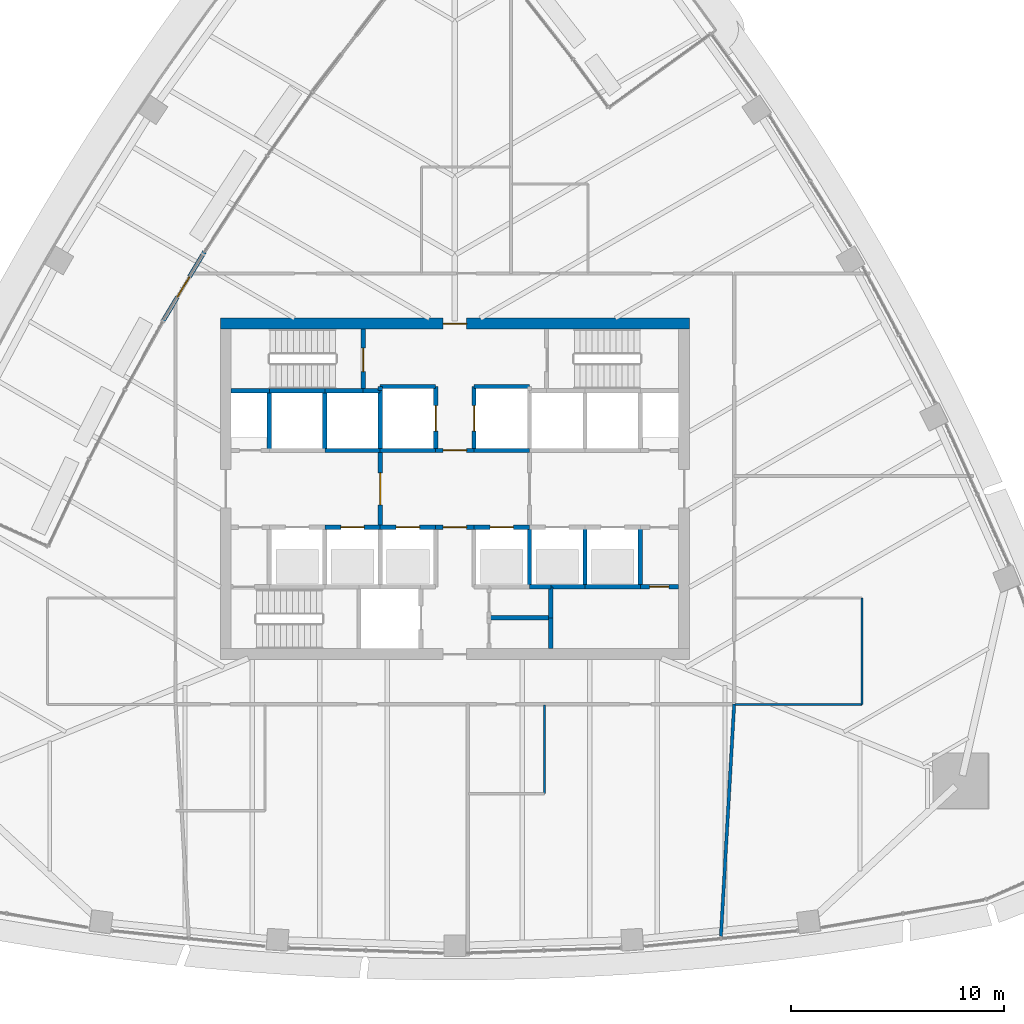
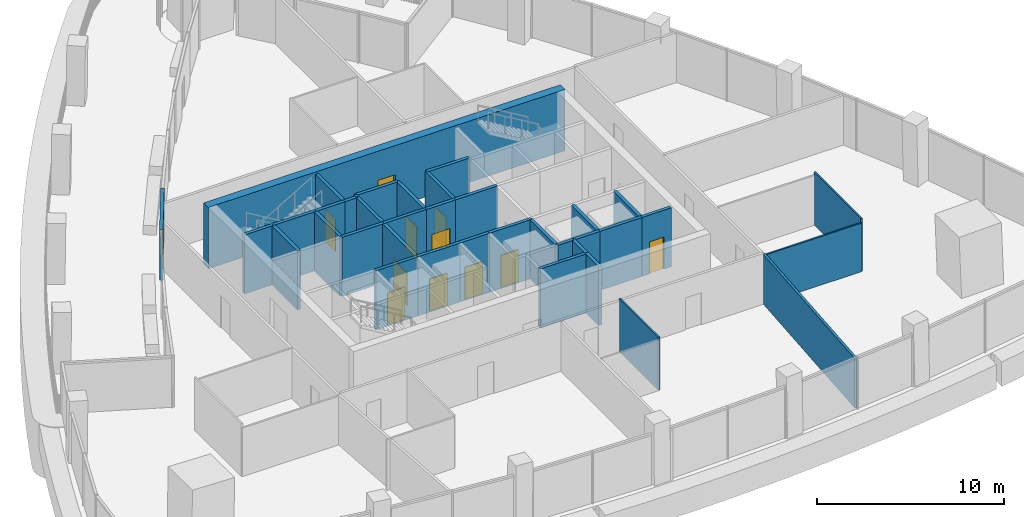
# One storey, part 12 of 19: 38 walls, 12 doors, 12 openings.
"""IFC4 building model written with IfcOpenShell, lengths in metres."""

from ifc_helpers import new_model, si_unit, direction, frame, frame_2d, origin, place, context, subcontext, project, spatial, rectangle, extrude, material, layer, layer_set, type_object, element, fill, save


model = new_model("IFC4")

# Units and contexts
model_context = context("Model", 3, precision=1e-05, world=origin(), true_north=direction((0.0, 1.0)))
body_context = subcontext(model_context, "Body", "Model", "MODEL_VIEW")
ifc_project = project(units=[si_unit("LENGTHUNIT", "METRE"), si_unit("AREAUNIT", "SQUARE_METRE"), si_unit("VOLUMEUNIT", "CUBIC_METRE"), si_unit("PLANEANGLEUNIT", "RADIAN"), si_unit("MASSUNIT", "GRAM", prefix="KILO")], contexts=[model_context])

# Site, building, storey
site_placement = place(None, origin())
site = spatial("IfcSite", under=ifc_project, at=site_placement, CompositionType="ELEMENT")
building_placement = place(site_placement, origin())
building = spatial("IfcBuilding", under=site, at=building_placement, Name="Sierra Prisma Convention Tower", CompositionType="ELEMENT")
storey_placement = place(building_placement, frame((0.0, 0.0, 173.800048828125)))
storey = spatial("IfcBuildingStorey", under=building, at=storey_placement, Name="L38", CompositionType="ELEMENT", Elevation=173.800048828125)

# Walls
ifc_material_1 = material(Name="Gypsum board partition", Category="gypsum")
ifc_layer_1 = layer(ifc_material_1, 0.10009765625)
ifc_layer_set_1 = layer_set([ifc_layer_1], Name="Bathroom partition 100")
wall_type_1 = type_object("IfcWallType", Name="Bathroom partition 100", PredefinedType="PARTITIONING", material=ifc_layer_set_1)
wall_1_placement = place(storey_placement, frame((4.199951171875, -10.1298828125, 0.0), z_axis=(0.0, 0.0, 1.0), x_axis=(0.0, -1.0, 0.0)))
element("IfcWall", 1, at=wall_1_placement, inside=storey, type_object=wall_type_1, Name="Partition L38 bath 8", PredefinedType="PARTITIONING", context=body_context, shape_type="SweptSolid", body=[
    extrude(rectangle(XDim=4.170166015625, YDim=0.10009765625, at=frame_2d((2.0849609375, 0.0))), origin(), (0.0, 0.0, 1.0), 3.449951171875),
])
wall_2_placement = place(storey_placement, frame((19.10009765625, -5.1201171875, 0.0), z_axis=(0.0, 0.0, 1.0), x_axis=(0.0, -1.0, 0.0)))
element("IfcWall", 2, at=wall_2_placement, inside=storey, type_object=wall_type_1, Name="Partition L38 bath 13", PredefinedType="PARTITIONING", context=body_context, shape_type="SweptSolid", body=[
    extrude(rectangle(XDim=5.0, YDim=0.10009765625, at=frame_2d((2.5, 0.0))), origin(), (0.0, 0.0, 1.0), 3.449951171875),
])
wall_3_placement = place(storey_placement, frame((19.10009765625, -10.1201171875, 0.0), z_axis=(0.0, 0.0, 1.0), x_axis=(-1.0, 0.0, 0.0)))
element("IfcWall", 3, at=wall_3_placement, inside=storey, type_object=wall_type_1, Name="Partition L38 bath 14", PredefinedType="PARTITIONING", context=body_context, shape_type="SweptSolid", body=[
    extrude(rectangle(XDim=5.97021484375, YDim=0.10009765625, at=frame_2d((2.985107421875, 0.0))), origin(), (0.0, 0.0, 1.0), 3.166015625),
])
ifc_material_2 = material(Name="Concrete C30/37", Category="concrete")
ifc_layer_2 = layer(ifc_material_2, 0.199951171875)
ifc_layer_set_2 = layer_set([ifc_layer_2], Name="Core wall RC 200 C30/37")
wall_type_2 = type_object("IfcWallType", Name="Core wall RC 200 C30/37", PredefinedType="SOLIDWALL", material=ifc_layer_set_2)
wall_4_placement = place(storey_placement, frame((-8.699951171875, 4.60009765625, 0.0), z_axis=(0.0, 0.0, 1.0), x_axis=(-1.0, 0.0, 0.0)))
element("IfcWall", 4, at=wall_4_placement, inside=storey, type_object=wall_type_2, Name="Core wall L38 4", PredefinedType="SOLIDWALL", context=body_context, shape_type="SweptSolid", body=[
    extrude(rectangle(XDim=1.800048828125, YDim=0.199951171875, at=frame_2d((0.89990234375, 0.0))), origin(), (0.0, 0.0, 1.0), 3.849853515625),
])
wall_5_placement = place(storey_placement, frame((-8.699951171875, 1.800048828125, 0.0), z_axis=(0.0, 0.0, 1.0), x_axis=(0.0, 1.0, 0.0)))
element("IfcWall", 5, at=wall_5_placement, inside=storey, type_object=wall_type_2, Name="Core wall L38 9", PredefinedType="SOLIDWALL", context=body_context, shape_type="SweptSolid", body=[
    extrude(rectangle(XDim=2.800048828125, YDim=0.199951171875, at=frame_2d((1.39990234375, 0.0))), origin(), (0.0, 0.0, 1.0), 3.849853515625),
])
wall_6_placement = place(storey_placement, frame((-6.10009765625, 4.60009765625, 0.0), z_axis=(0.0, 0.0, 1.0), x_axis=(-1.0, 0.0, 0.0)))
element("IfcWall", 6, at=wall_6_placement, inside=storey, type_object=wall_type_2, Name="Core wall L38 10", PredefinedType="SOLIDWALL", context=body_context, shape_type="SweptSolid", body=[
    extrude(rectangle(XDim=2.599853515625, YDim=0.199951171875, at=frame_2d((1.2998046875, 0.0))), origin(), (0.0, 0.0, 1.0), 3.849853515625),
])

# Wall, opening, door
wall_7_placement = place(storey_placement, frame((-6.10009765625, -1.800048828125, 0.0), z_axis=(0.0, 0.0, 1.0), x_axis=(1.0, 0.0, 0.0)))
wall_7 = element("IfcWall", 7, at=wall_7_placement, inside=storey, type_object=wall_type_2, Name="Core wall L38 13", PredefinedType="SOLIDWALL", context=body_context, shape_type="SweptSolid", body=[
    extrude(rectangle(XDim=2.60009765625, YDim=0.199951171875, at=frame_2d((1.300048828125, 0.0))), origin(), (0.0, 0.0, 1.0), 3.849853515625),
])
opening_1_placement = place(wall_7_placement, frame((0.75, 0.0, 0.0)))
opening_1 = element("IfcOpeningElement", 8, at=opening_1_placement, cuts=wall_7, Name="Opening L38-D004", PredefinedType="OPENING", context=body_context, shape_type="SweptSolid", body=[
    extrude(rectangle(XDim=1.10009765625, YDim=2.10009765625, at=frame_2d((0.550048828125, 1.050048828125))), frame((0.0, 0.10009765625, 0.0), z_axis=(0.0, -1.0, 0.0), x_axis=(1.0, 0.0, 0.0)), (0.0, 0.0, 1.0), 0.199951171875),
])
ifc_material_3 = material(Name="Steel fire door leaf", Category="steel")
door_type_1 = type_object("IfcDoorType", Name="Door 1100x2100 EI 90 sliding lift landing", OperationType="SLIDING_TO_LEFT", PredefinedType="DOOR", material=ifc_material_3)
door_1_placement = place(opening_1_placement, origin())
door_1 = element("IfcDoor", 9, at=door_1_placement, inside=storey, type_object=door_type_1, Name="Door L38 15", OperationType="SLIDING_TO_RIGHT", OverallHeight=2.10009765625, OverallWidth=1.10009765625, PredefinedType="DOOR", context=body_context, shape_type="SweptSolid", body=[
    extrude(rectangle(XDim=1.10009765625, YDim=2.10009765625, at=frame_2d((0.550048828125, 1.050048828125))), frame((0.0, 0.02490234375, 0.0), z_axis=(0.0, -1.0, 0.0), x_axis=(1.0, 0.0, 0.0)), (0.0, 0.0, 1.0), 0.050048828125),
])
fill(opening_1, door_1)

# Walls
wall_8_placement = place(storey_placement, frame((-3.5, 1.800048828125, 0.0), z_axis=(0.0, 0.0, 1.0), x_axis=(-1.0, 0.0, 0.0)))
element("IfcWall", 10, at=wall_8_placement, inside=storey, type_object=wall_type_2, Name="Core wall L38 14", PredefinedType="SOLIDWALL", context=body_context, shape_type="SweptSolid", body=[
    extrude(rectangle(XDim=2.60009765625, YDim=0.199951171875, at=frame_2d((1.300048828125, 0.0))), origin(), (0.0, 0.0, 1.0), 3.849853515625),
])
wall_9_placement = place(storey_placement, frame((-6.10009765625, 1.800048828125, 0.0), z_axis=(0.0, 0.0, 1.0), x_axis=(0.0, 1.0, 0.0)))
element("IfcWall", 11, at=wall_9_placement, inside=storey, type_object=wall_type_2, Name="Core wall L38 15", PredefinedType="SOLIDWALL", context=body_context, shape_type="SweptSolid", body=[
    extrude(rectangle(XDim=2.800048828125, YDim=0.199951171875, at=frame_2d((1.39990234375, 0.0))), origin(), (0.0, 0.0, 1.0), 3.849853515625),
])
wall_10_placement = place(storey_placement, frame((-4.300048828125, 4.60009765625, 0.0), z_axis=(0.0, 0.0, 1.0), x_axis=(-1.0, 0.0, 0.0)))
element("IfcWall", 12, at=wall_10_placement, inside=storey, type_object=wall_type_2, Name="Core wall L38 16", PredefinedType="SOLIDWALL", context=body_context, shape_type="SweptSolid", body=[
    extrude(rectangle(XDim=1.800048828125, YDim=0.199951171875, at=frame_2d((0.89990234375, 0.0))), origin(), (0.0, 0.0, 1.0), 3.849853515625),
])
wall_11_placement = place(storey_placement, frame((-3.5, 4.60009765625, 0.0), z_axis=(0.0, 0.0, 1.0), x_axis=(-1.0, 0.0, 0.0)))
element("IfcWall", 13, at=wall_11_placement, inside=storey, type_object=wall_type_2, Name="Core wall L38 19", PredefinedType="SOLIDWALL", context=body_context, shape_type="SweptSolid", body=[
    extrude(rectangle(XDim=0.800048828125, YDim=0.199951171875, at=frame_2d((0.39990234375, 0.0))), origin(), (0.0, 0.0, 1.0), 3.849853515625),
])

# Wall, opening, door
wall_12_placement = place(storey_placement, frame((-4.300048828125, 4.60009765625, 0.0), z_axis=(0.0, 0.0, 1.0), x_axis=(0.0, 1.0, 0.0)))
wall_12 = element("IfcWall", 14, at=wall_12_placement, inside=storey, type_object=wall_type_2, Name="Core wall L38 20", PredefinedType="SOLIDWALL", context=body_context, shape_type="SweptSolid", body=[
    extrude(rectangle(XDim=2.89990234375, YDim=0.199951171875, at=frame_2d((1.449951171875, 0.0))), origin(), (0.0, 0.0, 1.0), 3.849853515625),
])
opening_2_placement = place(wall_12_placement, frame((0.89990234375, 0.0, 0.0)))
opening_2 = element("IfcOpeningElement", 15, at=opening_2_placement, cuts=wall_12, Name="Opening L38-D020", PredefinedType="OPENING", context=body_context, shape_type="SweptSolid", body=[
    extrude(rectangle(XDim=1.10009765625, YDim=2.10009765625, at=frame_2d((0.550048828125, 1.050048828125))), frame((0.0, 0.10009765625, 0.0), z_axis=(0.0, -1.0, 0.0), x_axis=(1.0, 0.0, 0.0)), (0.0, 0.0, 1.0), 0.199951171875),
])
ifc_material_4 = material(Name="Steel fire door leaf", Category="steel")
door_type_2 = type_object("IfcDoorType", Name="Door 1100x2100 FD90S", OperationType="SINGLE_SWING_LEFT", PredefinedType="DOOR", material=ifc_material_4)
door_2_placement = place(opening_2_placement, origin())
door_2 = element("IfcDoor", 16, at=door_2_placement, inside=storey, type_object=door_type_2, Name="Door L38 31", OperationType="SINGLE_SWING_LEFT", OverallHeight=2.10009765625, OverallWidth=1.10009765625, PredefinedType="DOOR", context=body_context, shape_type="SweptSolid", body=[
    extrude(rectangle(XDim=1.10009765625, YDim=2.10009765625, at=frame_2d((0.550048828125, 1.050048828125))), frame((0.0, 0.02490234375, 0.0), z_axis=(0.0, -1.0, 0.0), x_axis=(1.0, 0.0, 0.0)), (0.0, 0.0, 1.0), 0.050048828125),
])
fill(opening_2, door_2)

wall_13_placement = place(storey_placement, frame((-3.5, -1.800048828125, 0.0), z_axis=(0.0, 0.0, 1.0), x_axis=(1.0, 0.0, 0.0)))
wall_13 = element("IfcWall", 17, at=wall_13_placement, inside=storey, type_object=wall_type_2, Name="Core wall L38 23", PredefinedType="SOLIDWALL", context=body_context, shape_type="SweptSolid", body=[
    extrude(rectangle(XDim=2.60009765625, YDim=0.199951171875, at=frame_2d((1.300048828125, 0.0))), origin(), (0.0, 0.0, 1.0), 3.849853515625),
])
opening_3_placement = place(wall_13_placement, frame((0.75, 0.0, 0.0)))
opening_3 = element("IfcOpeningElement", 18, at=opening_3_placement, cuts=wall_13, Name="Opening L38-D005", PredefinedType="OPENING", context=body_context, shape_type="SweptSolid", body=[
    extrude(rectangle(XDim=1.10009765625, YDim=2.10009765625, at=frame_2d((0.550048828125, 1.050048828125))), frame((0.0, 0.10009765625, 0.0), z_axis=(0.0, -1.0, 0.0), x_axis=(1.0, 0.0, 0.0)), (0.0, 0.0, 1.0), 0.199951171875),
])
door_3_placement = place(opening_3_placement, origin())
door_3 = element("IfcDoor", 19, at=door_3_placement, inside=storey, type_object=door_type_1, Name="Door L38 16", OperationType="SLIDING_TO_LEFT", OverallHeight=2.10009765625, OverallWidth=1.10009765625, PredefinedType="DOOR", context=body_context, shape_type="SweptSolid", body=[
    extrude(rectangle(XDim=1.10009765625, YDim=2.10009765625, at=frame_2d((0.550048828125, 1.050048828125))), frame((0.0, 0.02490234375, 0.0), z_axis=(0.0, -1.0, 0.0), x_axis=(1.0, 0.0, 0.0)), (0.0, 0.0, 1.0), 0.050048828125),
])
fill(opening_3, door_3)

wall_14_placement = place(storey_placement, frame((-3.5, 1.800048828125, 0.0), z_axis=(0.0, 0.0, 1.0), x_axis=(0.0, -1.0, 0.0)))
wall_14 = element("IfcWall", 20, at=wall_14_placement, inside=storey, type_object=wall_type_2, Name="Core wall L38 24", PredefinedType="SOLIDWALL", context=body_context, shape_type="SweptSolid", body=[
    extrude(rectangle(XDim=3.60009765625, YDim=0.199951171875, at=frame_2d((1.800048828125, 0.0))), origin(), (0.0, 0.0, 1.0), 3.849853515625),
])
opening_4_placement = place(wall_14_placement, frame((1.050048828125, 0.0, 0.0)))
opening_4 = element("IfcOpeningElement", 21, at=opening_4_placement, cuts=wall_14, Name="Opening L38-D012", PredefinedType="OPENING", context=body_context, shape_type="SweptSolid", body=[
    extrude(rectangle(XDim=1.5, YDim=2.10009765625, at=frame_2d((0.75, 1.050048828125))), frame((0.0, 0.10009765625, 0.0), z_axis=(0.0, -1.0, 0.0), x_axis=(1.0, 0.0, 0.0)), (0.0, 0.0, 1.0), 0.199951171875),
])
ifc_material_5 = material(Name="Steel fire door leaf", Category="steel")
door_type_3 = type_object("IfcDoorType", Name="Door 1500x2100 FD30S", OperationType="DOUBLE_DOOR_SINGLE_SWING", PredefinedType="DOOR", material=ifc_material_5)
door_4_placement = place(opening_4_placement, origin())
door_4 = element("IfcDoor", 22, at=door_4_placement, inside=storey, type_object=door_type_3, Name="Door L38 23", OperationType="DOUBLE_DOOR_SINGLE_SWING", OverallHeight=2.10009765625, OverallWidth=1.5, PredefinedType="DOOR", context=body_context, shape_type="SweptSolid", body=[
    extrude(rectangle(XDim=1.5, YDim=2.10009765625, at=frame_2d((0.75, 1.050048828125))), frame((0.0, 0.02490234375, 0.0), z_axis=(0.0, -1.0, 0.0), x_axis=(1.0, 0.0, 0.0)), (0.0, 0.0, 1.0), 0.050048828125),
])
fill(opening_4, door_4)

# Walls
wall_15_placement = place(storey_placement, frame((-0.89990234375, 1.800048828125, 0.0), z_axis=(0.0, 0.0, 1.0), x_axis=(-1.0, 0.0, 0.0)))
element("IfcWall", 23, at=wall_15_placement, inside=storey, type_object=wall_type_2, Name="Core wall L38 25", PredefinedType="SOLIDWALL", context=body_context, shape_type="SweptSolid", body=[
    extrude(rectangle(XDim=2.60009765625, YDim=0.199951171875, at=frame_2d((1.300048828125, 0.0))), origin(), (0.0, 0.0, 1.0), 3.849853515625),
])
wall_16_placement = place(storey_placement, frame((-3.5, 4.60009765625, 0.0), z_axis=(0.0, 0.0, 1.0), x_axis=(0.0, -1.0, 0.0)))
element("IfcWall", 24, at=wall_16_placement, inside=storey, type_object=wall_type_2, Name="Core wall L38 26", PredefinedType="SOLIDWALL", context=body_context, shape_type="SweptSolid", body=[
    extrude(rectangle(XDim=2.800048828125, YDim=0.199951171875, at=frame_2d((1.39990234375, 0.0))), origin(), (0.0, 0.0, 1.0), 3.849853515625),
])

# Wall, opening, door
wall_17_placement = place(storey_placement, frame((-0.89990234375, 1.800048828125, 0.0), z_axis=(0.0, 0.0, 1.0), x_axis=(0.0, 1.0, 0.0)))
wall_17 = element("IfcWall", 25, at=wall_17_placement, inside=storey, type_object=wall_type_2, Name="Core wall L38 27", PredefinedType="SOLIDWALL", context=body_context, shape_type="SweptSolid", body=[
    extrude(rectangle(XDim=3.0, YDim=0.199951171875, at=frame_2d((1.5, 0.0))), origin(), (0.0, 0.0, 1.0), 3.849853515625),
])
opening_5_placement = place(wall_17_placement, frame((0.89990234375, 0.0, 0.0)))
opening_5 = element("IfcOpeningElement", 26, at=opening_5_placement, cuts=wall_17, Name="Opening L38-D009", PredefinedType="OPENING", context=body_context, shape_type="SweptSolid", body=[
    extrude(rectangle(XDim=1.199951171875, YDim=2.10009765625, at=frame_2d((0.60009765625, 1.050048828125))), frame((0.0, 0.10009765625, 0.0), z_axis=(0.0, -1.0, 0.0), x_axis=(1.0, 0.0, 0.0)), (0.0, 0.0, 1.0), 0.199951171875),
])
ifc_material_6 = material(Name="Steel fire door leaf", Category="steel")
door_type_4 = type_object("IfcDoorType", Name="Door 1200x2100 EI 90 sliding lift landing", OperationType="SLIDING_TO_LEFT", PredefinedType="DOOR", material=ifc_material_6)
door_5_placement = place(opening_5_placement, origin())
door_5 = element("IfcDoor", 27, at=door_5_placement, inside=storey, type_object=door_type_4, Name="Door L38 20", OperationType="SLIDING_TO_LEFT", OverallHeight=2.10009765625, OverallWidth=1.199951171875, PredefinedType="DOOR", context=body_context, shape_type="SweptSolid", body=[
    extrude(rectangle(XDim=1.199951171875, YDim=2.10009765625, at=frame_2d((0.60009765625, 1.050048828125))), frame((0.0, 0.02490234375, 0.0), z_axis=(0.0, -1.0, 0.0), x_axis=(1.0, 0.0, 0.0)), (0.0, 0.0, 1.0), 0.050048828125),
])
fill(opening_5, door_5)

# Walls
wall_18_placement = place(storey_placement, frame((-0.89990234375, 4.800048828125, 0.0), z_axis=(0.0, 0.0, 1.0), x_axis=(-1.0, 0.0, 0.0)))
element("IfcWall", 28, at=wall_18_placement, inside=storey, type_object=wall_type_2, Name="Core wall L38 28", PredefinedType="SOLIDWALL", context=body_context, shape_type="SweptSolid", body=[
    extrude(rectangle(XDim=2.60009765625, YDim=0.199951171875, at=frame_2d((1.300048828125, 0.0))), origin(), (0.0, 0.0, 1.0), 3.849853515625),
])
wall_19_placement = place(storey_placement, frame((-3.5, 4.800048828125, 0.0), z_axis=(0.0, 0.0, 1.0), x_axis=(0.0, -1.0, 0.0)))
element("IfcWall", 29, at=wall_19_placement, inside=storey, type_object=wall_type_2, Name="Core wall L38 29", PredefinedType="SOLIDWALL", context=body_context, shape_type="SweptSolid", body=[
    extrude(rectangle(XDim=0.199951171875, YDim=0.199951171875, at=frame_2d((0.10009765625, 0.0))), origin(), (0.0, 0.0, 1.0), 3.849853515625),
])

# Wall, opening, door
wall_20_placement = place(storey_placement, frame((-0.89990234375, -1.800048828125, 0.0), z_axis=(0.0, 0.0, 1.0), x_axis=(1.0, 0.0, 0.0)))
wall_20 = element("IfcWall", 30, at=wall_20_placement, inside=storey, type_object=wall_type_2, Name="Core wall L38 33", PredefinedType="SOLIDWALL", context=body_context, shape_type="SweptSolid", body=[
    extrude(rectangle(XDim=1.7998046875, YDim=0.199951171875, at=frame_2d((0.89990234375, 0.0))), origin(), (0.0, 0.0, 1.0), 3.849853515625),
])
opening_6_placement = place(wall_20_placement, frame((0.35009765625, 0.0, 0.0)))
opening_6 = element("IfcOpeningElement", 31, at=opening_6_placement, cuts=wall_20, Name="Opening L38-D016", PredefinedType="OPENING", context=body_context, shape_type="SweptSolid", body=[
    extrude(rectangle(XDim=1.10009765625, YDim=2.10009765625, at=frame_2d((0.550048828125, 1.050048828125))), frame((0.0, 0.10009765625, 0.0), z_axis=(0.0, -1.0, 0.0), x_axis=(1.0, 0.0, 0.0)), (0.0, 0.0, 1.0), 0.199951171875),
])
ifc_material_7 = material(Name="Steel fire door leaf", Category="steel")
door_type_5 = type_object("IfcDoorType", Name="Door 1100x2100 FD30S", OperationType="SINGLE_SWING_LEFT", PredefinedType="DOOR", material=ifc_material_7)
door_6_placement = place(opening_6_placement, origin())
door_6 = element("IfcDoor", 32, at=door_6_placement, inside=storey, type_object=door_type_5, Name="Door L38 27", OperationType="SINGLE_SWING_RIGHT", OverallHeight=2.10009765625, OverallWidth=1.10009765625, PredefinedType="DOOR", context=body_context, shape_type="SweptSolid", body=[
    extrude(rectangle(XDim=1.10009765625, YDim=2.10009765625, at=frame_2d((0.550048828125, 1.050048828125))), frame((0.0, 0.02490234375, 0.0), z_axis=(0.0, -1.0, 0.0), x_axis=(1.0, 0.0, 0.0)), (0.0, 0.0, 1.0), 0.050048828125),
])
fill(opening_6, door_6)

wall_21_placement = place(storey_placement, frame((0.89990234375, 1.800048828125, 0.0), z_axis=(0.0, 0.0, 1.0), x_axis=(-1.0, 0.0, 0.0)))
wall_21 = element("IfcWall", 33, at=wall_21_placement, inside=storey, type_object=wall_type_2, Name="Core wall L38 34", PredefinedType="SOLIDWALL", context=body_context, shape_type="SweptSolid", body=[
    extrude(rectangle(XDim=1.7998046875, YDim=0.199951171875, at=frame_2d((0.89990234375, 0.0))), origin(), (0.0, 0.0, 1.0), 3.849853515625),
])
opening_7_placement = place(wall_21_placement, frame((0.35009765625, 0.0, 0.0)))
opening_7 = element("IfcOpeningElement", 34, at=opening_7_placement, cuts=wall_21, Name="Opening L38-D015", PredefinedType="OPENING", context=body_context, shape_type="SweptSolid", body=[
    extrude(rectangle(XDim=1.10009765625, YDim=2.10009765625, at=frame_2d((0.550048828125, 1.050048828125))), frame((0.0, 0.10009765625, 0.0), z_axis=(0.0, -1.0, 0.0), x_axis=(1.0, 0.0, 0.0)), (0.0, 0.0, 1.0), 0.199951171875),
])
ifc_material_8 = material(Name="Steel fire door leaf", Category="steel")
door_type_6 = type_object("IfcDoorType", Name="Door 1100x2100 FD60S", OperationType="SINGLE_SWING_LEFT", PredefinedType="DOOR", material=ifc_material_8)
door_7_placement = place(opening_7_placement, origin())
door_7 = element("IfcDoor", 35, at=door_7_placement, inside=storey, type_object=door_type_6, Name="Door L38 26", OperationType="SINGLE_SWING_RIGHT", OverallHeight=2.10009765625, OverallWidth=1.10009765625, PredefinedType="DOOR", context=body_context, shape_type="SweptSolid", body=[
    extrude(rectangle(XDim=1.10009765625, YDim=2.10009765625, at=frame_2d((0.550048828125, 1.050048828125))), frame((0.0, 0.02490234375, 0.0), z_axis=(0.0, -1.0, 0.0), x_axis=(1.0, 0.0, 0.0)), (0.0, 0.0, 1.0), 0.050048828125),
])
fill(opening_7, door_7)

wall_22_placement = place(storey_placement, frame((0.89990234375, -1.800048828125, 0.0), z_axis=(0.0, 0.0, 1.0), x_axis=(1.0, 0.0, 0.0)))
wall_22 = element("IfcWall", 36, at=wall_22_placement, inside=storey, type_object=wall_type_2, Name="Core wall L38 35", PredefinedType="SOLIDWALL", context=body_context, shape_type="SweptSolid", body=[
    extrude(rectangle(XDim=2.60009765625, YDim=0.199951171875, at=frame_2d((1.300048828125, 0.0))), origin(), (0.0, 0.0, 1.0), 3.849853515625),
])
opening_8_placement = place(wall_22_placement, frame((0.75, 0.0, 0.0)))
opening_8 = element("IfcOpeningElement", 37, at=opening_8_placement, cuts=wall_22, Name="Opening L38-D006", PredefinedType="OPENING", context=body_context, shape_type="SweptSolid", body=[
    extrude(rectangle(XDim=1.10009765625, YDim=2.10009765625, at=frame_2d((0.550048828125, 1.050048828125))), frame((0.0, 0.10009765625, 0.0), z_axis=(0.0, -1.0, 0.0), x_axis=(1.0, 0.0, 0.0)), (0.0, 0.0, 1.0), 0.199951171875),
])
door_8_placement = place(opening_8_placement, origin())
door_8 = element("IfcDoor", 38, at=door_8_placement, inside=storey, type_object=door_type_1, Name="Door L38 17", OperationType="SLIDING_TO_LEFT", OverallHeight=2.10009765625, OverallWidth=1.10009765625, PredefinedType="DOOR", context=body_context, shape_type="SweptSolid", body=[
    extrude(rectangle(XDim=1.10009765625, YDim=2.10009765625, at=frame_2d((0.550048828125, 1.050048828125))), frame((0.0, 0.02490234375, 0.0), z_axis=(0.0, -1.0, 0.0), x_axis=(1.0, 0.0, 0.0)), (0.0, 0.0, 1.0), 0.050048828125),
])
fill(opening_8, door_8)

# Walls
for number, where, z_axis, x_axis, name in (
    (39, (3.5, 1.800048828125, 0.0), (0.0, 0.0, 1.0), (-1.0, 0.0, 0.0), "Core wall L38 38"),
    (40, (3.5, 4.800048828125, 0.0), (0.0, 0.0, 1.0), (-1.0, 0.0, 0.0), "Core wall L38 40"),
):
    element("IfcWall", number, at=place(storey_placement, frame(where, z_axis=z_axis, x_axis=x_axis)), inside=storey, type_object=wall_type_2, Name=name, PredefinedType="SOLIDWALL", context=body_context, shape_type="SweptSolid", body=[
        extrude(rectangle(XDim=2.60009765625, YDim=0.199951171875, at=frame_2d((1.300048828125, 0.0))), origin(), (0.0, 0.0, 1.0), 3.849853515625),
    ])

# Wall, opening, door
wall_23_placement = place(storey_placement, frame((0.89990234375, 4.800048828125, 0.0), z_axis=(0.0, 0.0, 1.0), x_axis=(0.0, -1.0, 0.0)))
wall_23 = element("IfcWall", 41, at=wall_23_placement, inside=storey, type_object=wall_type_2, Name="Core wall L38 41", PredefinedType="SOLIDWALL", context=body_context, shape_type="SweptSolid", body=[
    extrude(rectangle(XDim=3.0, YDim=0.199951171875, at=frame_2d((1.5, 0.0))), origin(), (0.0, 0.0, 1.0), 3.849853515625),
])
opening_9_placement = place(wall_23_placement, frame((0.89990234375, 0.0, 0.0)))
opening_9 = element("IfcOpeningElement", 42, at=opening_9_placement, cuts=wall_23, Name="Opening L38-D010", PredefinedType="OPENING", context=body_context, shape_type="SweptSolid", body=[
    extrude(rectangle(XDim=1.199951171875, YDim=2.10009765625, at=frame_2d((0.60009765625, 1.050048828125))), frame((0.0, 0.10009765625, 0.0), z_axis=(0.0, -1.0, 0.0), x_axis=(1.0, 0.0, 0.0)), (0.0, 0.0, 1.0), 0.199951171875),
])
door_9_placement = place(opening_9_placement, origin())
door_9 = element("IfcDoor", 43, at=door_9_placement, inside=storey, type_object=door_type_4, Name="Door L38 21", OperationType="SLIDING_TO_LEFT", OverallHeight=2.10009765625, OverallWidth=1.199951171875, PredefinedType="DOOR", context=body_context, shape_type="SweptSolid", body=[
    extrude(rectangle(XDim=1.199951171875, YDim=2.10009765625, at=frame_2d((0.60009765625, 1.050048828125))), frame((0.0, 0.02490234375, 0.0), z_axis=(0.0, -1.0, 0.0), x_axis=(1.0, 0.0, 0.0)), (0.0, 0.0, 1.0), 0.050048828125),
])
fill(opening_9, door_9)

# Walls
wall_24_placement = place(storey_placement, frame((4.5, -6.050048828125, 0.0), z_axis=(0.0, 0.0, 1.0), x_axis=(-1.0, 0.0, 0.0)))
element("IfcWall", 44, at=wall_24_placement, inside=storey, type_object=wall_type_2, Name="Core wall L38 43", PredefinedType="SOLIDWALL", context=body_context, shape_type="SweptSolid", body=[
    extrude(rectangle(XDim=2.89990234375, YDim=0.199951171875, at=frame_2d((1.449951171875, 0.0))), origin(), (0.0, 0.0, 1.0), 3.849853515625),
])
wall_25_placement = place(storey_placement, frame((4.5, -4.60009765625, 0.0), z_axis=(0.0, 0.0, 1.0), x_axis=(-1.0, 0.0, 0.0)))
element("IfcWall", 45, at=wall_25_placement, inside=storey, type_object=wall_type_2, Name="Core wall L38 46", PredefinedType="SOLIDWALL", context=body_context, shape_type="SweptSolid", body=[
    extrude(rectangle(XDim=1.0, YDim=0.199951171875, at=frame_2d((0.5, 0.0))), origin(), (0.0, 0.0, 1.0), 3.849853515625),
])
wall_26_placement = place(storey_placement, frame((3.5, -4.60009765625, 0.0), z_axis=(0.0, 0.0, 1.0), x_axis=(0.0, 1.0, 0.0)))
element("IfcWall", 46, at=wall_26_placement, inside=storey, type_object=wall_type_2, Name="Core wall L38 47", PredefinedType="SOLIDWALL", context=body_context, shape_type="SweptSolid", body=[
    extrude(rectangle(XDim=2.800048828125, YDim=0.199951171875, at=frame_2d((1.39990234375, 0.0))), origin(), (0.0, 0.0, 1.0), 3.849853515625),
])
for number, where, z_axis, x_axis, name in (
    (47, (4.5, -6.050048828125, 0.0), (0.0, 0.0, 1.0), (0.0, -1.0, 0.0), "Core wall L38 55"),
    (48, (4.5, -4.60009765625, 0.0), (0.0, 0.0, 1.0), (0.0, -1.0, 0.0), "Core wall L38 56"),
):
    element("IfcWall", number, at=place(storey_placement, frame(where, z_axis=z_axis, x_axis=x_axis)), inside=storey, type_object=wall_type_2, Name=name, PredefinedType="SOLIDWALL", context=body_context, shape_type="SweptSolid", body=[
        extrude(rectangle(XDim=1.449951171875, YDim=0.199951171875, at=frame_2d((0.72509765625, 0.0))), origin(), (0.0, 0.0, 1.0), 3.849853515625),
    ])
wall_27_placement = place(storey_placement, frame((6.10009765625, -4.60009765625, 0.0), z_axis=(0.0, 0.0, 1.0), x_axis=(-1.0, 0.0, 0.0)))
element("IfcWall", 49, at=wall_27_placement, inside=storey, type_object=wall_type_2, Name="Core wall L38 57", PredefinedType="SOLIDWALL", context=body_context, shape_type="SweptSolid", body=[
    extrude(rectangle(XDim=1.60009765625, YDim=0.199951171875, at=frame_2d((0.800048828125, 0.0))), origin(), (0.0, 0.0, 1.0), 3.849853515625),
])
wall_28_placement = place(storey_placement, frame((8.699951171875, -4.60009765625, 0.0), z_axis=(0.0, 0.0, 1.0), x_axis=(-1.0, 0.0, 0.0)))
element("IfcWall", 50, at=wall_28_placement, inside=storey, type_object=wall_type_2, Name="Core wall L38 58", PredefinedType="SOLIDWALL", context=body_context, shape_type="SweptSolid", body=[
    extrude(rectangle(XDim=2.599853515625, YDim=0.199951171875, at=frame_2d((1.2998046875, 0.0))), origin(), (0.0, 0.0, 1.0), 3.849853515625),
])
wall_29_placement = place(storey_placement, frame((6.10009765625, -4.60009765625, 0.0), z_axis=(0.0, 0.0, 1.0), x_axis=(0.0, 1.0, 0.0)))
element("IfcWall", 51, at=wall_29_placement, inside=storey, type_object=wall_type_2, Name="Core wall L38 59", PredefinedType="SOLIDWALL", context=body_context, shape_type="SweptSolid", body=[
    extrude(rectangle(XDim=2.800048828125, YDim=0.199951171875, at=frame_2d((1.39990234375, 0.0))), origin(), (0.0, 0.0, 1.0), 3.849853515625),
])

# Wall, opening, door
wall_30_placement = place(storey_placement, frame((10.5, -4.60009765625, 0.0), z_axis=(0.0, 0.0, 1.0), x_axis=(-1.0, 0.0, 0.0)))
wall_30 = element("IfcWall", 52, at=wall_30_placement, inside=storey, type_object=wall_type_2, Name="Core wall L38 64", PredefinedType="SOLIDWALL", context=body_context, shape_type="SweptSolid", body=[
    extrude(rectangle(XDim=1.800048828125, YDim=0.199951171875, at=frame_2d((0.89990234375, 0.0))), origin(), (0.0, 0.0, 1.0), 3.849853515625),
])
opening_10_placement = place(wall_30_placement, frame((0.4599609375, 0.0, 0.0)))
opening_10 = element("IfcOpeningElement", 53, at=opening_10_placement, cuts=wall_30, Name="Opening L38-D022", PredefinedType="OPENING", context=body_context, shape_type="SweptSolid", body=[
    extrude(rectangle(XDim=0.89990234375, YDim=2.10009765625, at=frame_2d((0.449951171875, 1.050048828125))), frame((0.0, 0.10009765625, 0.0), z_axis=(0.0, -1.0, 0.0), x_axis=(1.0, 0.0, 0.0)), (0.0, 0.0, 1.0), 0.199951171875),
])
ifc_material_9 = material(Name="Steel fire door leaf", Category="steel")
door_type_7 = type_object("IfcDoorType", Name="Door 900x2100 FD30S", OperationType="SINGLE_SWING_LEFT", PredefinedType="DOOR", material=ifc_material_9)
door_10_placement = place(opening_10_placement, origin())
door_10 = element("IfcDoor", 54, at=door_10_placement, inside=storey, type_object=door_type_7, Name="Door L38 33", OperationType="SINGLE_SWING_RIGHT", OverallHeight=2.10009765625, OverallWidth=0.89990234375, PredefinedType="DOOR", context=body_context, shape_type="SweptSolid", body=[
    extrude(rectangle(XDim=0.89990234375, YDim=2.10009765625, at=frame_2d((0.449951171875, 1.050048828125))), frame((0.0, 0.02490234375, 0.0), z_axis=(0.0, -1.0, 0.0), x_axis=(1.0, 0.0, 0.0)), (0.0, 0.0, 1.0), 0.050048828125),
])
fill(opening_10, door_10)

# Wall
wall_31_placement = place(storey_placement, frame((8.699951171875, -1.800048828125, 0.0), z_axis=(0.0, 0.0, 1.0), x_axis=(0.0, -1.0, 0.0)))
element("IfcWall", 55, at=wall_31_placement, inside=storey, type_object=wall_type_2, Name="Core wall L38 65", PredefinedType="SOLIDWALL", context=body_context, shape_type="SweptSolid", body=[
    extrude(rectangle(XDim=2.800048828125, YDim=0.199951171875, at=frame_2d((1.39990234375, 0.0))), origin(), (0.0, 0.0, 1.0), 3.849853515625),
])

# Wall, opening, door
ifc_material_10 = material(Name="Concrete C60/75", Category="concrete")
ifc_layer_3 = layer(ifc_material_10, 0.5)
ifc_layer_set_3 = layer_set([ifc_layer_3], Name="Core wall RC 500 C60/75")
wall_type_3 = type_object("IfcWallType", Name="Core wall RC 500 C60/75", PredefinedType="SHEAR", material=ifc_layer_set_3)
wall_32_placement = place(storey_placement, frame((-11.0, 7.75, 0.0), z_axis=(0.0, 0.0, 1.0), x_axis=(1.0, 0.0, 0.0)))
wall_32 = element("IfcWall", 56, at=wall_32_placement, inside=storey, type_object=wall_type_3, Name="Core wall N L38", PredefinedType="SHEAR", context=body_context, shape_type="SweptSolid", body=[
    extrude(rectangle(XDim=22.0, YDim=0.5, at=frame_2d((11.0, 0.0))), origin(), (0.0, 0.0, 1.0), 4.0),
])
opening_11_placement = place(wall_32_placement, frame((10.449951171875, 0.0, 0.0)))
opening_11 = element("IfcOpeningElement", 57, at=opening_11_placement, cuts=wall_32, Name="Opening L38-D040", PredefinedType="OPENING", context=body_context, shape_type="SweptSolid", body=[
    extrude(rectangle(XDim=1.10009765625, YDim=2.10009765625, at=frame_2d((0.550048828125, 1.050048828125))), frame((0.0, 0.25, 0.0), z_axis=(0.0, -1.0, 0.0), x_axis=(1.0, 0.0, 0.0)), (0.0, 0.0, 1.0), 0.5),
])
door_11_placement = place(opening_11_placement, origin())
door_11 = element("IfcDoor", 58, at=door_11_placement, inside=storey, type_object=door_type_6, Name="Door L38 39", OperationType="SINGLE_SWING_RIGHT", OverallHeight=2.10009765625, OverallWidth=1.10009765625, PredefinedType="DOOR", context=body_context, shape_type="SweptSolid", body=[
    extrude(rectangle(XDim=1.10009765625, YDim=2.10009765625, at=frame_2d((0.550048828125, 1.050048828125))), frame((0.0, 0.02490234375, 0.0), z_axis=(0.0, -1.0, 0.0), x_axis=(1.0, 0.0, 0.0)), (0.0, 0.0, 1.0), 0.050048828125),
])
fill(opening_11, door_11)

# Wall
ifc_material_11 = material(Name="Gypsum board partition", Category="gypsum")
ifc_layer_4 = layer(ifc_material_11, 0.14990234375)
ifc_layer_set_4 = layer_set([ifc_layer_4], Name="Party wall 150 gypsum")
wall_type_4 = type_object("IfcWallType", Name="Party wall 150 gypsum", PredefinedType="PARTITIONING", material=ifc_layer_set_4)
wall_33_placement = place(storey_placement, frame((13.10009765625, -10.10009765625, 0.0), z_axis=(0.0, 0.0, 1.0), x_axis=(-0.057075935192, -0.9983698401, 0.0)))
element("IfcWall", 59, at=wall_33_placement, inside=storey, type_object=wall_type_4, Name="Partition L38 party 4", PredefinedType="PARTITIONING", context=body_context, shape_type="SweptSolid", body=[
    extrude(rectangle(XDim=10.9033203125, YDim=0.14990234375, at=frame_2d((5.45166015625, 0.0))), origin(), (0.0, 0.0, 1.0), 3.23388671875),
])

# Wall, opening, door
ifc_material_12 = material(Name="Precast concrete C40/50", Category="concrete")
ifc_layer_5 = layer(ifc_material_12, 0.199951171875)
ifc_layer_set_5 = layer_set([ifc_layer_5], Name="Terrace door pier")
wall_type_5 = type_object("IfcWallType", Name="Terrace door pier", PredefinedType="SOLIDWALL", material=ifc_layer_set_5)
wall_34_placement = place(storey_placement, frame((-11.742431640625, 11.1181640625, 0.0), z_axis=(0.0, 0.0, 1.0), x_axis=(-0.513422332631, -0.858136066341, 0.0)))
wall_34 = element("IfcWall", 60, at=wall_34_placement, inside=storey, type_object=wall_type_5, Name="Terrace door bay L38.31", PredefinedType="SOLIDWALL", context=body_context, shape_type="SweptSolid", body=[
    extrude(rectangle(XDim=3.847900390625, YDim=0.199951171875, at=frame_2d((1.923828125, 0.0))), origin(), (0.0, 0.0, 1.0), 3.33984375),
])
opening_12_placement = place(wall_34_placement, frame((1.373779296875, 0.0, 0.0)))
opening_12 = element("IfcOpeningElement", 61, at=opening_12_placement, cuts=wall_34, Name="Opening L38-D002", PredefinedType="OPENING", context=body_context, shape_type="SweptSolid", body=[
    extrude(rectangle(XDim=1.10009765625, YDim=2.10009765625, at=frame_2d((0.550048828125, 1.050048828125))), frame((0.0, 0.10009765625, 0.0), z_axis=(0.0, -1.0, 0.0), x_axis=(1.0, 0.0, 0.0)), (0.0, 0.0, 1.0), 0.199951171875),
])
ifc_material_13 = material(Name="Bronze anodised aluminium and glass", Category="aluminium")
door_type_8 = type_object("IfcDoorType", Name="Terrace door 1100 x 2100", OperationType="SINGLE_SWING_LEFT", PredefinedType="DOOR", material=ifc_material_13)
door_12_placement = place(opening_12_placement, origin())
door_12 = element("IfcDoor", 62, at=door_12_placement, inside=storey, type_object=door_type_8, Name="Terrace door L38.31", OperationType="SINGLE_SWING_LEFT", OverallHeight=2.10009765625, OverallWidth=1.10009765625, PredefinedType="DOOR", context=body_context, shape_type="SweptSolid", body=[
    extrude(rectangle(XDim=1.10009765625, YDim=2.10009765625, at=frame_2d((0.550048828125, 1.050048828125))), frame((0.0, 0.02490234375, 0.0), z_axis=(0.0, -1.0, 0.0), x_axis=(1.0, 0.0, 0.0)), (0.0, 0.0, 1.0), 0.050048828125),
])
fill(opening_12, door_12)

save(model, "model.ifc")
